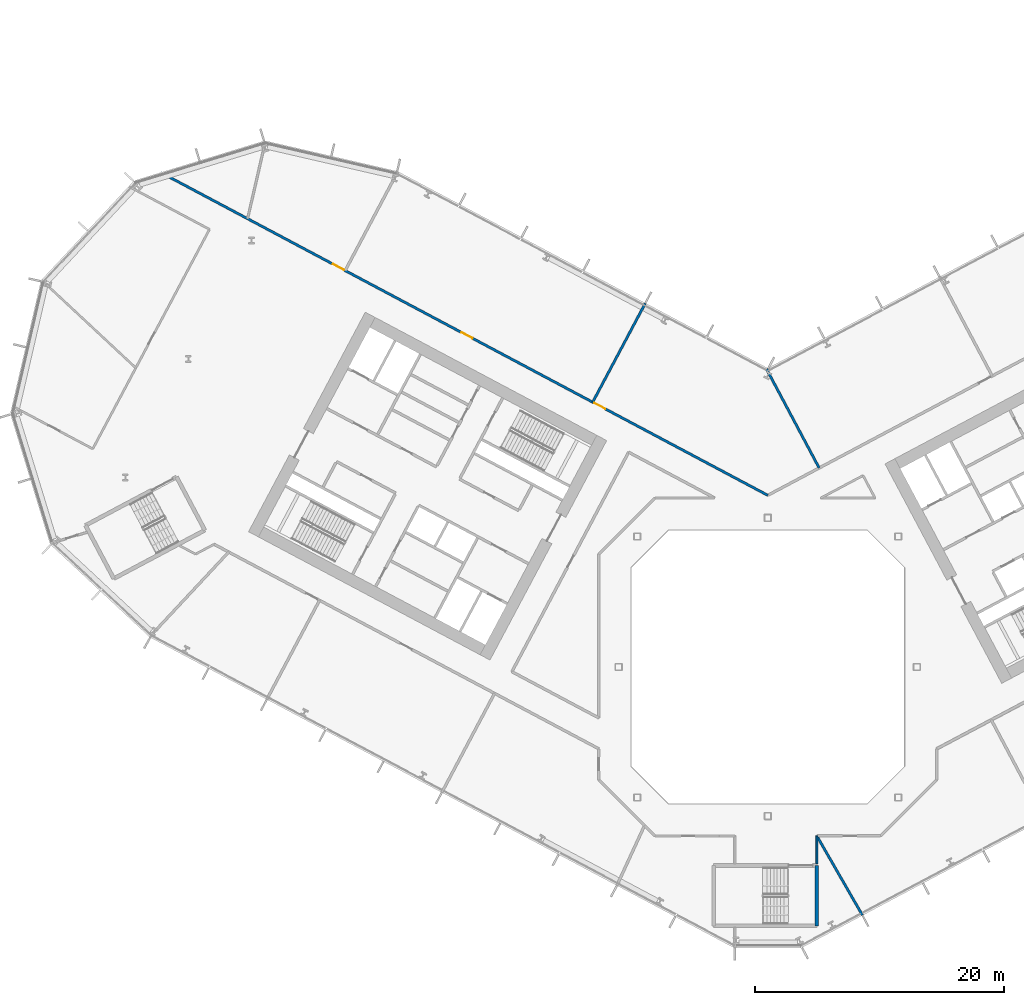
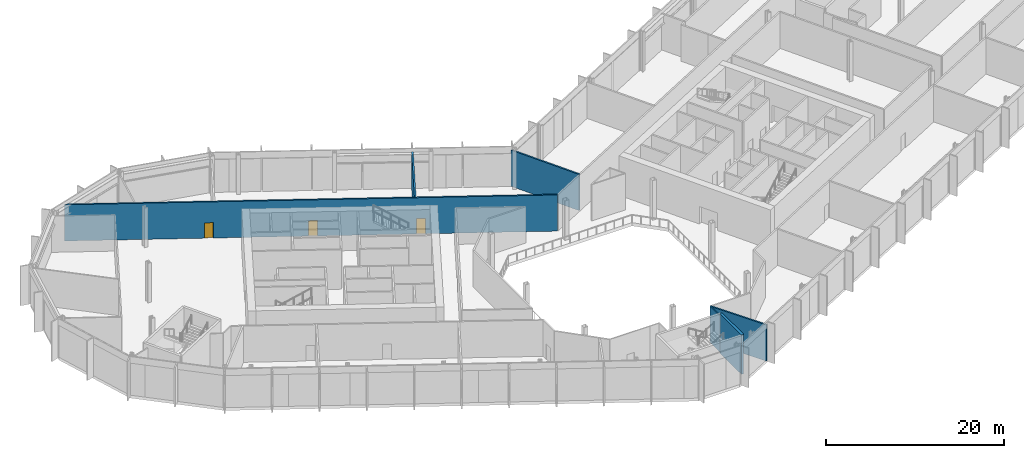
# One storey, part 14 of 32: 6 walls, 3 doors, 3 openings.
"""IFC4 building model written with IfcOpenShell, lengths in metres."""

from ifc_helpers import new_model, si_unit, direction, frame, frame_2d, origin, place, context, subcontext, project, spatial, rectangle, extrude, material, layer, layer_set, type_object, element, fill, save


model = new_model("IFC4")

# Units and contexts
model_context = context("Model", 3, precision=1e-05, world=origin(), true_north=direction((0.0, 1.0)))
body_context = subcontext(model_context, "Body", "Model", "MODEL_VIEW")
ifc_project = project(units=[si_unit("LENGTHUNIT", "METRE"), si_unit("AREAUNIT", "SQUARE_METRE"), si_unit("VOLUMEUNIT", "CUBIC_METRE"), si_unit("PLANEANGLEUNIT", "RADIAN"), si_unit("MASSUNIT", "GRAM", prefix="KILO")], contexts=[model_context])

# Site, building, storey
site_placement = place(None, origin())
site = spatial("IfcSite", under=ifc_project, at=site_placement, CompositionType="ELEMENT")
building_placement = place(site_placement, origin())
building = spatial("IfcBuilding", under=site, at=building_placement, Name="Cormorant Relay Tower", CompositionType="ELEMENT")
storey_placement = place(building_placement, frame((0.0, 0.0, 39.199951171875)))
storey = spatial("IfcBuildingStorey", under=building, at=storey_placement, Name="L07", CompositionType="ELEMENT", Elevation=39.199951171875)

# Wall, openings, doors
ifc_material_1 = material(Name="Fire-rated gypsum board partition")
ifc_layer_1 = layer(ifc_material_1, 0.199951171875)
ifc_layer_set_1 = layer_set([ifc_layer_1], Name="Fire-rated gypsum partition 200")
wall_type_1 = type_object("IfcWallType", Name="Fire-rated gypsum partition 200", PredefinedType="PARTITIONING", material=ifc_layer_set_1)
wall_1_placement = place(storey_placement, frame((-48.81396484375, 39.77001953125, 0.0), z_axis=(0.0, 0.0, 1.0), x_axis=(0.882945848707, -0.469474843043, 0.0)))
wall_1 = element("IfcWall", 1, at=wall_1_placement, inside=storey, type_object=wall_type_1, Name="wall/L07/part/8", PredefinedType="PARTITIONING", context=body_context, shape_type="SweptSolid", body=[
    extrude(rectangle(XDim=55.285400390625, YDim=0.199951171875, at=frame_2d((27.642578125, 0.0))), origin(), (0.0, 0.0, 1.0), 4.949951171875),
])
opening_1_placement = place(wall_1_placement, frame((39.465087890625, 0.0, 0.0)))
opening_1 = element("IfcOpeningElement", 2, at=opening_1_placement, cuts=wall_1, Name="Opening FD1-044", PredefinedType="OPENING", context=body_context, shape_type="SweptSolid", body=[
    extrude(rectangle(XDim=1.0, YDim=2.10009765625, at=frame_2d((0.5, 1.050048828125))), frame((0.0, 0.10986328125, 0.0), z_axis=(0.0, -1.0, 0.0), x_axis=(1.0, 0.0, 0.0)), (0.0, 0.0, 1.0), 0.219970703125),
])
opening_2_placement = place(wall_1_placement, frame((27.365966796875, 0.0, 0.0)))
opening_2 = element("IfcOpeningElement", 3, at=opening_2_placement, cuts=wall_1, Name="Opening FD1-045", PredefinedType="OPENING", context=body_context, shape_type="SweptSolid", body=[
    extrude(rectangle(XDim=1.0, YDim=2.10009765625, at=frame_2d((0.5, 1.050048828125))), frame((0.0, 0.10986328125, 0.0), z_axis=(0.0, -1.0, 0.0), x_axis=(1.0, 0.0, 0.0)), (0.0, 0.0, 1.0), 0.219970703125),
])
opening_3_placement = place(wall_1_placement, frame((15.6650390625, 0.0, 0.0)))
opening_3 = element("IfcOpeningElement", 4, at=opening_3_placement, cuts=wall_1, Name="Opening FD1-046", PredefinedType="OPENING", context=body_context, shape_type="SweptSolid", body=[
    extrude(rectangle(XDim=1.0, YDim=2.10009765625, at=frame_2d((0.5, 1.050048828125))), frame((0.0, 0.10986328125, 0.0), z_axis=(0.0, -1.0, 0.0), x_axis=(1.0, 0.0, 0.0)), (0.0, 0.0, 1.0), 0.219970703125),
])
ifc_material_2 = material(Name="Fire-rated steel door", Category="steel")
door_type = type_object("IfcDoorType", Name="Fire door 1000 x 2100", OperationType="SINGLE_SWING_LEFT", PredefinedType="DOOR", material=ifc_material_2)
door_1_placement = place(opening_1_placement, origin())
door_1 = element("IfcDoor", 5, at=door_1_placement, inside=storey, type_object=door_type, Name="door/L07/7", OperationType="SINGLE_SWING_LEFT", OverallHeight=2.10009765625, OverallWidth=1.0, PredefinedType="DOOR", context=body_context, shape_type="SweptSolid", body=[
    extrude(rectangle(XDim=1.0, YDim=2.10009765625, at=frame_2d((0.5, 1.050048828125))), frame((0.0, 0.02490234375, 0.0), z_axis=(0.0, -1.0, 0.0), x_axis=(1.0, 0.0, 0.0)), (0.0, 0.0, 1.0), 0.050048828125),
])
fill(opening_1, door_1)
door_2_placement = place(opening_2_placement, origin())
door_2 = element("IfcDoor", 6, at=door_2_placement, inside=storey, type_object=door_type, Name="door/L07/8", OperationType="SINGLE_SWING_RIGHT", OverallHeight=2.10009765625, OverallWidth=1.0, PredefinedType="DOOR", context=body_context, shape_type="SweptSolid", body=[
    extrude(rectangle(XDim=1.0, YDim=2.10009765625, at=frame_2d((0.5, 1.050048828125))), frame((0.0, 0.02490234375, 0.0), z_axis=(0.0, -1.0, 0.0), x_axis=(1.0, 0.0, 0.0)), (0.0, 0.0, 1.0), 0.050048828125),
])
fill(opening_2, door_2)
door_3_placement = place(opening_3_placement, origin())
door_3 = element("IfcDoor", 7, at=door_3_placement, inside=storey, type_object=door_type, Name="door/L07/9", OperationType="SINGLE_SWING_RIGHT", OverallHeight=2.10009765625, OverallWidth=1.0, PredefinedType="DOOR", context=body_context, shape_type="SweptSolid", body=[
    extrude(rectangle(XDim=1.0, YDim=2.10009765625, at=frame_2d((0.5, 1.050048828125))), frame((0.0, 0.02490234375, 0.0), z_axis=(0.0, -1.0, 0.0), x_axis=(1.0, 0.0, 0.0)), (0.0, 0.0, 1.0), 0.050048828125),
])
fill(opening_3, door_3)

# Walls
wall_2_placement = place(storey_placement, frame((-9.864013671875, 29.2548828125, 0.0), z_axis=(0.0, 0.0, 1.0), x_axis=(-0.469475779988, -0.88294535052, 0.0)))
element("IfcWall", 8, at=wall_2_placement, inside=storey, type_object=wall_type_1, Name="wall/L07/part/16", PredefinedType="PARTITIONING", context=body_context, shape_type="SweptSolid", body=[
    extrude(rectangle(XDim=9.001708984375, YDim=0.199951171875, at=frame_2d((4.5009765625, 0.0))), origin(), (0.0, 0.0, 1.0), 4.949951171875),
])
wall_3_placement = place(storey_placement, frame((-0.10595703125, 23.98388671875, 0.0), z_axis=(0.0, 0.0, 1.0), x_axis=(0.469539420252, -0.882911509059, 0.0)))
element("IfcWall", 9, at=wall_3_placement, inside=storey, type_object=wall_type_1, Name="wall/L07/part/20", PredefinedType="PARTITIONING", context=body_context, shape_type="SweptSolid", body=[
    extrude(rectangle(XDim=9.028076171875, YDim=0.199951171875, at=frame_2d((4.51416015625, 0.0))), origin(), (0.0, 0.0, 1.0), 4.949951171875),
])
wall_4_placement = place(storey_placement, frame((7.60888671875, -19.965087890625, 0.0), z_axis=(0.0, 0.0, 1.0), x_axis=(-0.498246245443, 0.867035569571, 0.0)))
element("IfcWall", 10, at=wall_4_placement, inside=storey, type_object=wall_type_1, Name="wall/L07/part/31", PredefinedType="PARTITIONING", context=body_context, shape_type="SweptSolid", body=[
    extrude(rectangle(XDim=7.34375, YDim=0.199951171875, at=frame_2d((3.671875, 0.0))), origin(), (0.0, 0.0, 1.0), 4.949951171875),
])
ifc_material_3 = material(Name="Gypsum board partition")
ifc_layer_2 = layer(ifc_material_3, 0.14990234375)
ifc_layer_set_2 = layer_set([ifc_layer_2], Name="Gypsum board partition 150")
wall_type_2 = type_object("IfcWallType", Name="Gypsum board partition 150", PredefinedType="PARTITIONING", material=ifc_layer_set_2)
wall_5_placement = place(storey_placement, frame((3.949951171875, -13.597900390625, 0.0), z_axis=(0.0, 0.0, 1.0), x_axis=(0.0, -1.0, 0.0)))
element("IfcWall", 11, at=wall_5_placement, inside=storey, type_object=wall_type_2, Name="wall/L07/part/27", PredefinedType="PARTITIONING", context=body_context, shape_type="SweptSolid", body=[
    extrude(rectangle(XDim=2.2421875, YDim=0.14990234375, at=frame_2d((1.12109375, 0.0))), origin(), (0.0, 0.0, 1.0), 4.949951171875),
])
ifc_material_4 = material(Name="Concrete 50 MPa", Category="concrete")
ifc_layer_3 = layer(ifc_material_4, 0.300048828125)
ifc_layer_set_3 = layer_set([ifc_layer_3], Name="Remote stair wall 300")
wall_type_3 = type_object("IfcWallType", Name="Remote stair wall 300", PredefinedType="SHEAR", material=ifc_layer_set_3)
wall_6_placement = place(storey_placement, frame((3.949951171875, -15.97509765625, 0.0), z_axis=(0.0, 0.0, 1.0), x_axis=(0.0, -1.0, 0.0)))
element("IfcWall", 12, at=wall_6_placement, inside=storey, type_object=wall_type_3, Name="L07 exit stair RK1 wall", PredefinedType="SHEAR", context=body_context, shape_type="SweptSolid", body=[
    extrude(rectangle(XDim=4.849853515625, YDim=0.300048828125, at=frame_2d((2.4248046875, 0.0))), origin(), (0.0, 0.0, 1.0), 5.400146484375),
])

save(model, "model.ifc")
